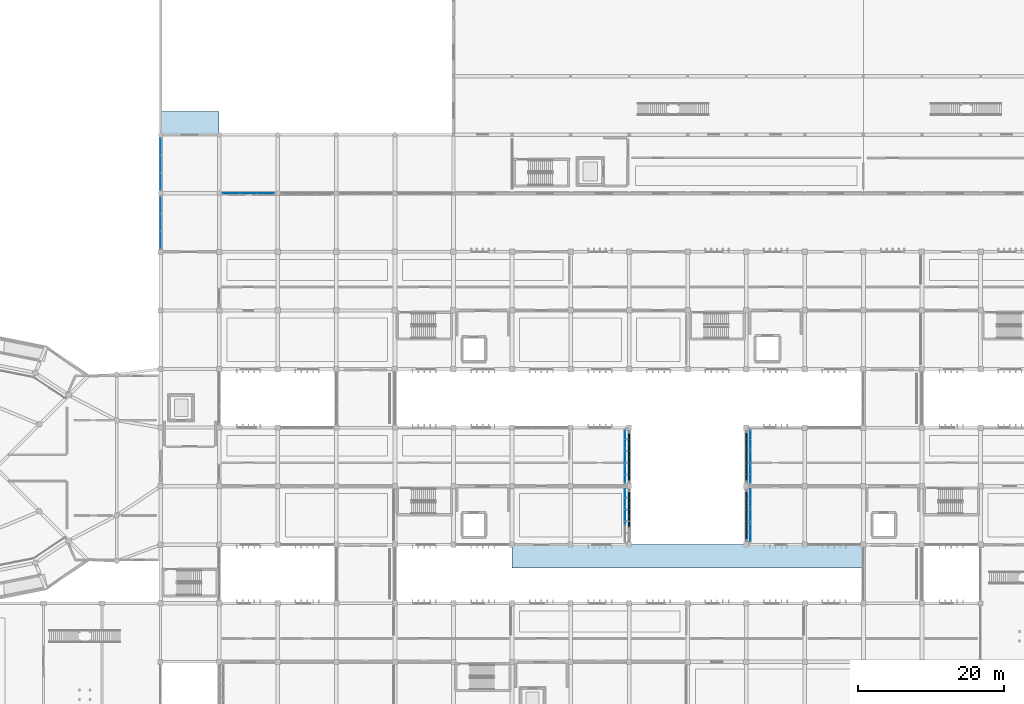
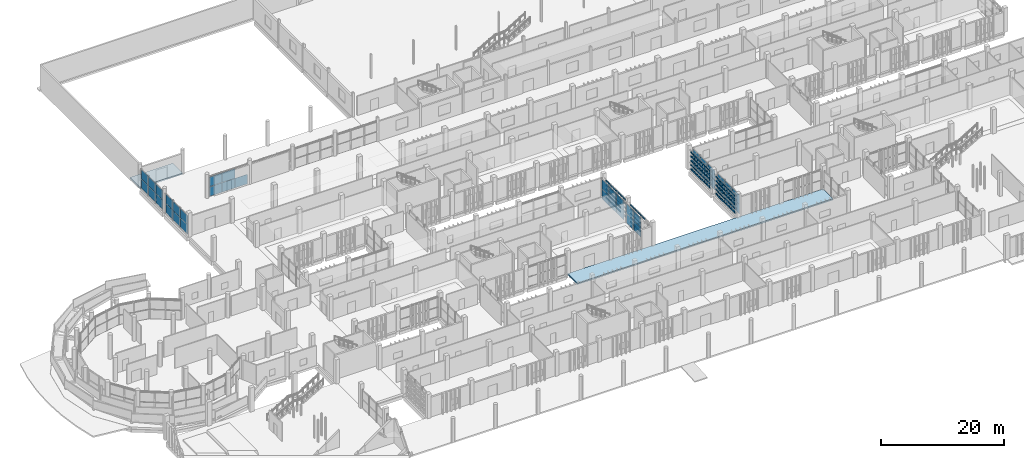
# One storey, part 78 of 117: 110 plates, 2 slabs, 7 elements without a shape of their own.
"""IFC4 building model written with IfcOpenShell, lengths in metres."""

from ifc_helpers import new_model, si_unit, direction, frame, origin, origin_2d, place, context, subcontext, project, spatial, polyline, rectangle, outline, extrude, material, layer, layer_set, type_object, element, aggregate, save


model = new_model("IFC4")

# Units and contexts
model_context = context("Model", 3, precision=1e-05, world=origin(), true_north=direction((0.0, 1.0)))
body_context = subcontext(model_context, "Body", "Model", "MODEL_VIEW")
ifc_project = project(units=[si_unit("LENGTHUNIT", "METRE"), si_unit("AREAUNIT", "SQUARE_METRE"), si_unit("VOLUMEUNIT", "CUBIC_METRE"), si_unit("PLANEANGLEUNIT", "RADIAN"), si_unit("MASSUNIT", "GRAM", prefix="KILO")], contexts=[model_context])

# Site, building, storey
site_placement = place(None, origin())
site = spatial("IfcSite", under=ifc_project, at=site_placement, CompositionType="ELEMENT")
building_placement = place(site_placement, origin())
building = spatial("IfcBuilding", under=site, at=building_placement, Name="Jelvoka-Kovrelna Polytechnic", CompositionType="ELEMENT")
storey_placement = place(building_placement, origin())
storey = spatial("IfcBuildingStorey", under=building, at=storey_placement, Name="L01", CompositionType="ELEMENT", Elevation=0.0)

# Curtain wall, plates
ifc_material_1 = material(Name="Anodised aluminium 6063-T6", Category="aluminium")
ifc_layer_1 = layer(ifc_material_1, 0.159912109375)
ifc_layer_set_1 = layer_set([ifc_layer_1], Name="Anodised aluminium 6063-T6")
curtain_wall_type_1 = type_object("IfcCurtainWallType", Name="CW_Recessed_A", PredefinedType="NOTDEFINED", material=ifc_layer_set_1)
curtain_wall_1_placement = place(storey_placement, origin())
curtain_wall_1 = element("IfcCurtainWall", 1, at=curtain_wall_1_placement, inside=storey, type_object=curtain_wall_type_1, Name="L01 glazed curtain wall 013", PredefinedType="NOTDEFINED")
ifc_material_2 = material(Name="Solar-control double glazing", Category="glass")
ifc_layer_2 = layer(ifc_material_2, 0.028076171875)
ifc_layer_set_2 = layer_set([ifc_layer_2], Name="Solar-control double glazing")
plate_type_1 = type_object("IfcPlateType", Name="Panel_GP-01", PredefinedType="CURTAIN_PANEL", material=ifc_layer_set_2)
plate_1_placement = place(storey_placement, frame((111.43994140625, 38.385009765625, 0.052001953125), z_axis=(0.0, 0.0, 1.0), x_axis=(0.0, -1.0, 0.0)))
plate_1 = element("IfcPlate", 2, at=plate_1_placement, type_object=plate_type_1, Name="CW-01 panel 1.1", PredefinedType="CURTAIN_PANEL", context=body_context, shape_type="SweptSolid", body=[
    extrude(rectangle(XDim=2.326171875, YDim=0.028076171875, at=origin_2d()), origin(), (0.0, 0.0, 1.0), 1.901123046875),
])
plate_2_placement = place(storey_placement, frame((111.43994140625, 38.385009765625, 1.996826171875), z_axis=(0.0, 0.0, 1.0), x_axis=(0.0, -1.0, 0.0)))
plate_2 = element("IfcPlate", 3, at=plate_2_placement, type_object=plate_type_1, Name="CW-01 panel 1.2", PredefinedType="CURTAIN_PANEL", context=body_context, shape_type="SweptSolid", body=[
    extrude(rectangle(XDim=2.326171875, YDim=0.028076171875, at=origin_2d()), origin(), (0.0, 0.0, 1.0), 1.901123046875),
])
plate_3_placement = place(storey_placement, frame((111.43994140625, 36.0, 0.052001953125), z_axis=(0.0, 0.0, 1.0), x_axis=(0.0, -1.0, 0.0)))
plate_3 = element("IfcPlate", 4, at=plate_3_placement, type_object=plate_type_1, Name="CW-01 panel 2.1", PredefinedType="CURTAIN_PANEL", context=body_context, shape_type="SweptSolid", body=[
    extrude(rectangle(XDim=2.356201171875, YDim=0.028076171875, at=origin_2d()), origin(), (0.0, 0.0, 1.0), 1.901123046875),
])
plate_4_placement = place(storey_placement, frame((111.43994140625, 36.0, 1.996826171875), z_axis=(0.0, 0.0, 1.0), x_axis=(0.0, -1.0, 0.0)))
plate_4 = element("IfcPlate", 5, at=plate_4_placement, type_object=plate_type_1, Name="CW-01 panel 2.2", PredefinedType="CURTAIN_PANEL", context=body_context, shape_type="SweptSolid", body=[
    extrude(rectangle(XDim=2.356201171875, YDim=0.028076171875, at=origin_2d()), origin(), (0.0, 0.0, 1.0), 1.901123046875),
])
aggregate(curtain_wall_1, [plate_1, plate_2, plate_3, plate_4])

curtain_wall_2_placement = place(storey_placement, origin())
curtain_wall_2 = element("IfcCurtainWall", 6, at=curtain_wall_2_placement, inside=storey, type_object=curtain_wall_type_1, Name="L01 glazed curtain wall 014", PredefinedType="NOTDEFINED")
plate_5_placement = place(storey_placement, frame((111.43994140625, 46.385009765625, 0.052001953125), z_axis=(0.0, 0.0, 1.0), x_axis=(0.0, -1.0, 0.0)))
plate_5 = element("IfcPlate", 7, at=plate_5_placement, type_object=plate_type_1, Name="CW-01 panel 1.1", PredefinedType="CURTAIN_PANEL", context=body_context, shape_type="SweptSolid", body=[
    extrude(rectangle(XDim=2.326171875, YDim=0.028076171875, at=origin_2d()), origin(), (0.0, 0.0, 1.0), 1.901123046875),
])
plate_6_placement = place(storey_placement, frame((111.43994140625, 46.385009765625, 1.996826171875), z_axis=(0.0, 0.0, 1.0), x_axis=(0.0, -1.0, 0.0)))
plate_6 = element("IfcPlate", 8, at=plate_6_placement, type_object=plate_type_1, Name="CW-01 panel 1.2", PredefinedType="CURTAIN_PANEL", context=body_context, shape_type="SweptSolid", body=[
    extrude(rectangle(XDim=2.326171875, YDim=0.028076171875, at=origin_2d()), origin(), (0.0, 0.0, 1.0), 1.901123046875),
])
plate_7_placement = place(storey_placement, frame((111.43994140625, 44.0, 0.052001953125), z_axis=(0.0, 0.0, 1.0), x_axis=(0.0, -1.0, 0.0)))
plate_7 = element("IfcPlate", 9, at=plate_7_placement, type_object=plate_type_1, Name="CW-01 panel 2.1", PredefinedType="CURTAIN_PANEL", context=body_context, shape_type="SweptSolid", body=[
    extrude(rectangle(XDim=2.356201171875, YDim=0.028076171875, at=origin_2d()), origin(), (0.0, 0.0, 1.0), 1.901123046875),
])
plate_8_placement = place(storey_placement, frame((111.43994140625, 44.0, 1.996826171875), z_axis=(0.0, 0.0, 1.0), x_axis=(0.0, -1.0, 0.0)))
plate_8 = element("IfcPlate", 10, at=plate_8_placement, type_object=plate_type_1, Name="CW-01 panel 2.2", PredefinedType="CURTAIN_PANEL", context=body_context, shape_type="SweptSolid", body=[
    extrude(rectangle(XDim=2.356201171875, YDim=0.028076171875, at=origin_2d()), origin(), (0.0, 0.0, 1.0), 1.901123046875),
])
plate_9_placement = place(storey_placement, frame((111.43994140625, 41.614990234375, 0.052001953125), z_axis=(0.0, 0.0, 1.0), x_axis=(0.0, -1.0, 0.0)))
plate_9 = element("IfcPlate", 11, at=plate_9_placement, type_object=plate_type_1, Name="CW-01 panel 3.1", PredefinedType="CURTAIN_PANEL", context=body_context, shape_type="SweptSolid", body=[
    extrude(rectangle(XDim=2.326171875, YDim=0.028076171875, at=origin_2d()), origin(), (0.0, 0.0, 1.0), 1.901123046875),
])
plate_10_placement = place(storey_placement, frame((111.43994140625, 41.614990234375, 1.996826171875), z_axis=(0.0, 0.0, 1.0), x_axis=(0.0, -1.0, 0.0)))
plate_10 = element("IfcPlate", 12, at=plate_10_placement, type_object=plate_type_1, Name="CW-01 panel 3.2", PredefinedType="CURTAIN_PANEL", context=body_context, shape_type="SweptSolid", body=[
    extrude(rectangle(XDim=2.326171875, YDim=0.028076171875, at=origin_2d()), origin(), (0.0, 0.0, 1.0), 1.901123046875),
])
aggregate(curtain_wall_2, [plate_5, plate_6, plate_7, plate_8, plate_9, plate_10])

curtain_wall_3_placement = place(storey_placement, origin())
curtain_wall_3 = element("IfcCurtainWall", 13, at=curtain_wall_3_placement, inside=storey, type_object=curtain_wall_type_1, Name="L01 glazed curtain wall 042", PredefinedType="NOTDEFINED")
plate_11_placement = place(storey_placement, frame((128.56005859375, 33.614990234375, 0.052001953125), z_axis=(0.0, 0.0, 1.0), x_axis=(0.0, 1.0, 0.0)))
plate_11 = element("IfcPlate", 14, at=plate_11_placement, type_object=plate_type_1, Name="CW-01 panel 1.1", PredefinedType="CURTAIN_PANEL", context=body_context, shape_type="SweptSolid", body=[
    extrude(rectangle(XDim=2.326171875, YDim=0.028076171875, at=origin_2d()), origin(), (0.0, 0.0, 1.0), 1.901123046875),
])
plate_12_placement = place(storey_placement, frame((128.56005859375, 33.614990234375, 1.996826171875), z_axis=(0.0, 0.0, 1.0), x_axis=(0.0, 1.0, 0.0)))
plate_12 = element("IfcPlate", 15, at=plate_12_placement, type_object=plate_type_1, Name="CW-01 panel 1.2", PredefinedType="CURTAIN_PANEL", context=body_context, shape_type="SweptSolid", body=[
    extrude(rectangle(XDim=2.326171875, YDim=0.028076171875, at=origin_2d()), origin(), (0.0, 0.0, 1.0), 1.901123046875),
])
plate_13_placement = place(storey_placement, frame((128.56005859375, 36.0, 0.052001953125), z_axis=(0.0, 0.0, 1.0), x_axis=(0.0, 1.0, 0.0)))
plate_13 = element("IfcPlate", 16, at=plate_13_placement, type_object=plate_type_1, Name="CW-01 panel 2.1", PredefinedType="CURTAIN_PANEL", context=body_context, shape_type="SweptSolid", body=[
    extrude(rectangle(XDim=2.356201171875, YDim=0.028076171875, at=origin_2d()), origin(), (0.0, 0.0, 1.0), 1.901123046875),
])
plate_14_placement = place(storey_placement, frame((128.56005859375, 36.0, 1.996826171875), z_axis=(0.0, 0.0, 1.0), x_axis=(0.0, 1.0, 0.0)))
plate_14 = element("IfcPlate", 17, at=plate_14_placement, type_object=plate_type_1, Name="CW-01 panel 2.2", PredefinedType="CURTAIN_PANEL", context=body_context, shape_type="SweptSolid", body=[
    extrude(rectangle(XDim=2.356201171875, YDim=0.028076171875, at=origin_2d()), origin(), (0.0, 0.0, 1.0), 1.901123046875),
])
plate_15_placement = place(storey_placement, frame((128.56005859375, 38.385009765625, 0.052001953125), z_axis=(0.0, 0.0, 1.0), x_axis=(0.0, 1.0, 0.0)))
plate_15 = element("IfcPlate", 18, at=plate_15_placement, type_object=plate_type_1, Name="CW-01 panel 3.1", PredefinedType="CURTAIN_PANEL", context=body_context, shape_type="SweptSolid", body=[
    extrude(rectangle(XDim=2.326171875, YDim=0.028076171875, at=origin_2d()), origin(), (0.0, 0.0, 1.0), 1.901123046875),
])
plate_16_placement = place(storey_placement, frame((128.56005859375, 38.385009765625, 1.996826171875), z_axis=(0.0, 0.0, 1.0), x_axis=(0.0, 1.0, 0.0)))
plate_16 = element("IfcPlate", 19, at=plate_16_placement, type_object=plate_type_1, Name="CW-01 panel 3.2", PredefinedType="CURTAIN_PANEL", context=body_context, shape_type="SweptSolid", body=[
    extrude(rectangle(XDim=2.326171875, YDim=0.028076171875, at=origin_2d()), origin(), (0.0, 0.0, 1.0), 1.901123046875),
])
aggregate(curtain_wall_3, [plate_11, plate_12, plate_13, plate_14, plate_15, plate_16])

curtain_wall_4_placement = place(storey_placement, origin())
curtain_wall_4 = element("IfcCurtainWall", 20, at=curtain_wall_4_placement, inside=storey, type_object=curtain_wall_type_1, Name="L01 glazed curtain wall 043", PredefinedType="NOTDEFINED")
plate_17_placement = place(storey_placement, frame((128.56005859375, 41.614990234375, 0.052001953125), z_axis=(0.0, 0.0, 1.0), x_axis=(0.0, 1.0, 0.0)))
plate_17 = element("IfcPlate", 21, at=plate_17_placement, type_object=plate_type_1, Name="CW-01 panel 1.1", PredefinedType="CURTAIN_PANEL", context=body_context, shape_type="SweptSolid", body=[
    extrude(rectangle(XDim=2.326171875, YDim=0.028076171875, at=origin_2d()), origin(), (0.0, 0.0, 1.0), 1.901123046875),
])
plate_18_placement = place(storey_placement, frame((128.56005859375, 41.614990234375, 1.996826171875), z_axis=(0.0, 0.0, 1.0), x_axis=(0.0, 1.0, 0.0)))
plate_18 = element("IfcPlate", 22, at=plate_18_placement, type_object=plate_type_1, Name="CW-01 panel 1.2", PredefinedType="CURTAIN_PANEL", context=body_context, shape_type="SweptSolid", body=[
    extrude(rectangle(XDim=2.326171875, YDim=0.028076171875, at=origin_2d()), origin(), (0.0, 0.0, 1.0), 1.901123046875),
])
plate_19_placement = place(storey_placement, frame((128.56005859375, 44.0, 0.052001953125), z_axis=(0.0, 0.0, 1.0), x_axis=(0.0, 1.0, 0.0)))
plate_19 = element("IfcPlate", 23, at=plate_19_placement, type_object=plate_type_1, Name="CW-01 panel 2.1", PredefinedType="CURTAIN_PANEL", context=body_context, shape_type="SweptSolid", body=[
    extrude(rectangle(XDim=2.356201171875, YDim=0.028076171875, at=origin_2d()), origin(), (0.0, 0.0, 1.0), 1.901123046875),
])
plate_20_placement = place(storey_placement, frame((128.56005859375, 44.0, 1.996826171875), z_axis=(0.0, 0.0, 1.0), x_axis=(0.0, 1.0, 0.0)))
plate_20 = element("IfcPlate", 24, at=plate_20_placement, type_object=plate_type_1, Name="CW-01 panel 2.2", PredefinedType="CURTAIN_PANEL", context=body_context, shape_type="SweptSolid", body=[
    extrude(rectangle(XDim=2.356201171875, YDim=0.028076171875, at=origin_2d()), origin(), (0.0, 0.0, 1.0), 1.901123046875),
])
plate_21_placement = place(storey_placement, frame((128.56005859375, 46.385009765625, 0.052001953125), z_axis=(0.0, 0.0, 1.0), x_axis=(0.0, 1.0, 0.0)))
plate_21 = element("IfcPlate", 25, at=plate_21_placement, type_object=plate_type_1, Name="CW-01 panel 3.1", PredefinedType="CURTAIN_PANEL", context=body_context, shape_type="SweptSolid", body=[
    extrude(rectangle(XDim=2.326171875, YDim=0.028076171875, at=origin_2d()), origin(), (0.0, 0.0, 1.0), 1.901123046875),
])
plate_22_placement = place(storey_placement, frame((128.56005859375, 46.385009765625, 1.996826171875), z_axis=(0.0, 0.0, 1.0), x_axis=(0.0, 1.0, 0.0)))
plate_22 = element("IfcPlate", 26, at=plate_22_placement, type_object=plate_type_1, Name="CW-01 panel 3.2", PredefinedType="CURTAIN_PANEL", context=body_context, shape_type="SweptSolid", body=[
    extrude(rectangle(XDim=2.326171875, YDim=0.028076171875, at=origin_2d()), origin(), (0.0, 0.0, 1.0), 1.901123046875),
])
aggregate(curtain_wall_4, [plate_17, plate_18, plate_19, plate_20, plate_21, plate_22])

ifc_material_3 = material(Name="Anodised aluminium 6063-T6", Category="aluminium")
ifc_layer_3 = layer(ifc_material_3, 0.179931640625)
ifc_layer_set_3 = layer_set([ifc_layer_3], Name="Anodised aluminium 6063-T6")
curtain_wall_type_2 = type_object("IfcCurtainWallType", Name="CW_Pavilion", PredefinedType="NOTDEFINED", material=ifc_layer_set_3)
curtain_wall_5_placement = place(storey_placement, origin())
curtain_wall_5 = element("IfcCurtainWall", 27, at=curtain_wall_5_placement, inside=storey, type_object=curtain_wall_type_2, Name="L01 glazed curtain wall 163", PredefinedType="NOTDEFINED")
ifc_material_4 = material(Name="Solar-control double glazing", Category="glass")
ifc_layer_4 = layer(ifc_material_4, 0.030029296875)
ifc_layer_set_4 = layer_set([ifc_layer_4], Name="Solar-control double glazing")
plate_type_2 = type_object("IfcPlateType", Name="Panel_GP-05", PredefinedType="CURTAIN_PANEL", material=ifc_layer_set_4)
plate_23_placement = place(storey_placement, frame((48.0, 73.6162109375, 0.056884765625), z_axis=(0.0, 0.0, 1.0), x_axis=(0.0, 1.0, 0.0)))
plate_23 = element("IfcPlate", 28, at=plate_23_placement, type_object=plate_type_2, Name="CW-05 panel 1.1", PredefinedType="CURTAIN_PANEL", context=body_context, shape_type="SweptSolid", body=[
    extrude(rectangle(XDim=2.318603515625, YDim=0.030029296875, at=origin_2d()), origin(), (0.0, 0.0, 1.0), 1.821044921875),
])
plate_24_placement = place(storey_placement, frame((48.0, 73.6162109375, 1.927001953125), z_axis=(0.0, 0.0, 1.0), x_axis=(0.0, 1.0, 0.0)))
plate_24 = element("IfcPlate", 29, at=plate_24_placement, type_object=plate_type_2, Name="CW-05 panel 1.2", PredefinedType="CURTAIN_PANEL", context=body_context, shape_type="SweptSolid", body=[
    extrude(rectangle(XDim=2.318603515625, YDim=0.030029296875, at=origin_2d()), origin(), (0.0, 0.0, 1.0), 1.821044921875),
])
plate_25_placement = place(storey_placement, frame((48.0, 76.0, 0.056884765625), z_axis=(0.0, 0.0, 1.0), x_axis=(0.0, 1.0, 0.0)))
plate_25 = element("IfcPlate", 30, at=plate_25_placement, type_object=plate_type_2, Name="CW-05 panel 2.1", PredefinedType="CURTAIN_PANEL", context=body_context, shape_type="SweptSolid", body=[
    extrude(rectangle(XDim=2.35107421875, YDim=0.030029296875, at=origin_2d()), origin(), (0.0, 0.0, 1.0), 1.821044921875),
])
plate_26_placement = place(storey_placement, frame((48.0, 76.0, 1.927001953125), z_axis=(0.0, 0.0, 1.0), x_axis=(0.0, 1.0, 0.0)))
plate_26 = element("IfcPlate", 31, at=plate_26_placement, type_object=plate_type_2, Name="CW-05 panel 2.2", PredefinedType="CURTAIN_PANEL", context=body_context, shape_type="SweptSolid", body=[
    extrude(rectangle(XDim=2.35107421875, YDim=0.030029296875, at=origin_2d()), origin(), (0.0, 0.0, 1.0), 1.821044921875),
])
plate_27_placement = place(storey_placement, frame((48.0, 78.3837890625, 0.056884765625), z_axis=(0.0, 0.0, 1.0), x_axis=(0.0, 1.0, 0.0)))
plate_27 = element("IfcPlate", 32, at=plate_27_placement, type_object=plate_type_2, Name="CW-05 panel 3.1", PredefinedType="CURTAIN_PANEL", context=body_context, shape_type="SweptSolid", body=[
    extrude(rectangle(XDim=2.318603515625, YDim=0.030029296875, at=origin_2d()), origin(), (0.0, 0.0, 1.0), 1.821044921875),
])
plate_28_placement = place(storey_placement, frame((48.0, 78.3837890625, 1.927001953125), z_axis=(0.0, 0.0, 1.0), x_axis=(0.0, 1.0, 0.0)))
plate_28 = element("IfcPlate", 33, at=plate_28_placement, type_object=plate_type_2, Name="CW-05 panel 3.2", PredefinedType="CURTAIN_PANEL", context=body_context, shape_type="SweptSolid", body=[
    extrude(rectangle(XDim=2.318603515625, YDim=0.030029296875, at=origin_2d()), origin(), (0.0, 0.0, 1.0), 1.821044921875),
])
aggregate(curtain_wall_5, [plate_23, plate_24, plate_25, plate_26, plate_27, plate_28])

curtain_wall_6_placement = place(storey_placement, origin())
curtain_wall_6 = element("IfcCurtainWall", 34, at=curtain_wall_6_placement, inside=storey, type_object=curtain_wall_type_2, Name="L01 glazed curtain wall 164", PredefinedType="NOTDEFINED")
plate_29_placement = place(storey_placement, frame((48.0, 81.6162109375, 0.056884765625), z_axis=(0.0, 0.0, 1.0), x_axis=(0.0, 1.0, 0.0)))
plate_29 = element("IfcPlate", 35, at=plate_29_placement, type_object=plate_type_2, Name="CW-05 panel 1.1", PredefinedType="CURTAIN_PANEL", context=body_context, shape_type="SweptSolid", body=[
    extrude(rectangle(XDim=2.318603515625, YDim=0.030029296875, at=origin_2d()), origin(), (0.0, 0.0, 1.0), 1.836181640625),
])
plate_30_placement = place(storey_placement, frame((48.0, 81.6162109375, 1.942138671875), z_axis=(0.0, 0.0, 1.0), x_axis=(0.0, 1.0, 0.0)))
plate_30 = element("IfcPlate", 36, at=plate_30_placement, type_object=plate_type_2, Name="CW-05 panel 1.2", PredefinedType="CURTAIN_PANEL", context=body_context, shape_type="SweptSolid", body=[
    extrude(rectangle(XDim=2.318603515625, YDim=0.030029296875, at=origin_2d()), origin(), (0.0, 0.0, 1.0), 1.836181640625),
])
plate_31_placement = place(storey_placement, frame((48.0, 84.0, 0.056884765625), z_axis=(0.0, 0.0, 1.0), x_axis=(0.0, 1.0, 0.0)))
plate_31 = element("IfcPlate", 37, at=plate_31_placement, type_object=plate_type_2, Name="CW-05 panel 2.1", PredefinedType="CURTAIN_PANEL", context=body_context, shape_type="SweptSolid", body=[
    extrude(rectangle(XDim=2.35107421875, YDim=0.030029296875, at=origin_2d()), origin(), (0.0, 0.0, 1.0), 1.836181640625),
])
plate_32_placement = place(storey_placement, frame((48.0, 84.0, 1.942138671875), z_axis=(0.0, 0.0, 1.0), x_axis=(0.0, 1.0, 0.0)))
plate_32 = element("IfcPlate", 38, at=plate_32_placement, type_object=plate_type_2, Name="CW-05 panel 2.2", PredefinedType="CURTAIN_PANEL", context=body_context, shape_type="SweptSolid", body=[
    extrude(rectangle(XDim=2.35107421875, YDim=0.030029296875, at=origin_2d()), origin(), (0.0, 0.0, 1.0), 1.836181640625),
])
plate_33_placement = place(storey_placement, frame((48.0, 86.3837890625, 0.056884765625), z_axis=(0.0, 0.0, 1.0), x_axis=(0.0, 1.0, 0.0)))
plate_33 = element("IfcPlate", 39, at=plate_33_placement, type_object=plate_type_2, Name="CW-05 panel 3.1", PredefinedType="CURTAIN_PANEL", context=body_context, shape_type="SweptSolid", body=[
    extrude(rectangle(XDim=2.318603515625, YDim=0.030029296875, at=origin_2d()), origin(), (0.0, 0.0, 1.0), 1.836181640625),
])
plate_34_placement = place(storey_placement, frame((48.0, 86.3837890625, 1.942138671875), z_axis=(0.0, 0.0, 1.0), x_axis=(0.0, 1.0, 0.0)))
plate_34 = element("IfcPlate", 40, at=plate_34_placement, type_object=plate_type_2, Name="CW-05 panel 3.2", PredefinedType="CURTAIN_PANEL", context=body_context, shape_type="SweptSolid", body=[
    extrude(rectangle(XDim=2.318603515625, YDim=0.030029296875, at=origin_2d()), origin(), (0.0, 0.0, 1.0), 1.836181640625),
])
aggregate(curtain_wall_6, [plate_29, plate_30, plate_31, plate_32, plate_33, plate_34])

curtain_wall_7_placement = place(storey_placement, origin())
curtain_wall_7 = element("IfcCurtainWall", 41, at=curtain_wall_7_placement, inside=storey, type_object=curtain_wall_type_2, Name="L01 glazed curtain wall 165", PredefinedType="NOTDEFINED")
plate_35_placement = place(storey_placement, frame((57.6162109375, 80.0, 0.056884765625), z_axis=(0.0, 0.0, 1.0), x_axis=(1.0, 0.0, 0.0)))
plate_35 = element("IfcPlate", 42, at=plate_35_placement, type_object=plate_type_2, Name="CW-05 panel 1.1", PredefinedType="CURTAIN_PANEL", context=body_context, shape_type="SweptSolid", body=[
    extrude(rectangle(XDim=2.318603515625, YDim=0.030029296875, at=origin_2d()), origin(), (0.0, 0.0, 1.0), 1.89599609375),
])
plate_36_placement = place(storey_placement, frame((57.6162109375, 80.0, 2.001953125), z_axis=(0.0, 0.0, 1.0), x_axis=(1.0, 0.0, 0.0)))
plate_36 = element("IfcPlate", 43, at=plate_36_placement, type_object=plate_type_2, Name="CW-05 panel 1.2", PredefinedType="CURTAIN_PANEL", context=body_context, shape_type="SweptSolid", body=[
    extrude(rectangle(XDim=2.318603515625, YDim=0.030029296875, at=origin_2d()), origin(), (0.0, 0.0, 1.0), 1.89599609375),
])
plate_37_placement = place(storey_placement, frame((60.0, 80.0, 0.056884765625), z_axis=(0.0, 0.0, 1.0), x_axis=(1.0, 0.0, 0.0)))
plate_37 = element("IfcPlate", 44, at=plate_37_placement, type_object=plate_type_2, Name="CW-05 panel 2.1", PredefinedType="CURTAIN_PANEL", context=body_context, shape_type="SweptSolid", body=[
    extrude(rectangle(XDim=2.35107421875, YDim=0.030029296875, at=origin_2d()), origin(), (0.0, 0.0, 1.0), 1.89599609375),
])
plate_38_placement = place(storey_placement, frame((60.0, 80.0, 2.001953125), z_axis=(0.0, 0.0, 1.0), x_axis=(1.0, 0.0, 0.0)))
plate_38 = element("IfcPlate", 45, at=plate_38_placement, type_object=plate_type_2, Name="CW-05 panel 2.2", PredefinedType="CURTAIN_PANEL", context=body_context, shape_type="SweptSolid", body=[
    extrude(rectangle(XDim=2.35107421875, YDim=0.030029296875, at=origin_2d()), origin(), (0.0, 0.0, 1.0), 1.89599609375),
])
plate_39_placement = place(storey_placement, frame((62.3837890625, 80.0, 0.056884765625), z_axis=(0.0, 0.0, 1.0), x_axis=(1.0, 0.0, 0.0)))
plate_39 = element("IfcPlate", 46, at=plate_39_placement, type_object=plate_type_2, Name="CW-05 panel 3.1", PredefinedType="CURTAIN_PANEL", context=body_context, shape_type="SweptSolid", body=[
    extrude(rectangle(XDim=2.318603515625, YDim=0.030029296875, at=origin_2d()), origin(), (0.0, 0.0, 1.0), 1.89599609375),
])
aggregate(curtain_wall_7, [plate_35, plate_36, plate_37, plate_38, plate_39])

# Plates
ifc_material_5 = material(Name="Perforated fired terracotta block", Category="masonry")
ifc_layer_5 = layer(ifc_material_5, 0.159912109375)
ifc_layer_set_5 = layer_set([ifc_layer_5], Name="Perforated fired terracotta block")
plate_type_3 = type_object("IfcPlateType", Name="Screen_Terracotta_TP01", PredefinedType="USERDEFINED", material=ifc_layer_set_5)
for number, where, z_axis, x_axis, name in (
    (47, (128.02001953125, 33.60009765625, 0.2001953125), (0.0, 0.0, 1.0), (0.0, 1.0, 0.0), "L01 perforated terracotta lattice band 0421"),
    (48, (128.02001953125, 33.60009765625, 1.04248046875), (0.0, 0.0, 1.0), (0.0, 1.0, 0.0), "L01 perforated terracotta lattice band 0422"),
    (49, (128.02001953125, 33.60009765625, 1.884765625), (0.0, 0.0, 1.0), (0.0, 1.0, 0.0), "L01 perforated terracotta lattice band 0423"),
    (50, (128.02001953125, 33.60009765625, 2.7275390625), (0.0, 0.0, 1.0), (0.0, 1.0, 0.0), "L01 perforated terracotta lattice band 0424"),
    (51, (128.02001953125, 33.60009765625, 3.56982421875), (0.0, 0.0, 1.0), (0.0, 1.0, 0.0), "L01 perforated terracotta lattice band 0425"),
    (52, (128.02001953125, 35.199951171875, 0.2001953125), (0.0, 0.0, 1.0), (0.0, 1.0, 0.0), "L01 perforated terracotta lattice band 0426"),
    (53, (128.02001953125, 35.199951171875, 1.04248046875), (0.0, 0.0, 1.0), (0.0, 1.0, 0.0), "L01 perforated terracotta lattice band 0427"),
    (54, (128.02001953125, 35.199951171875, 1.884765625), (0.0, 0.0, 1.0), (0.0, 1.0, 0.0), "L01 perforated terracotta lattice band 0428"),
    (55, (128.02001953125, 35.199951171875, 2.7275390625), (0.0, 0.0, 1.0), (0.0, 1.0, 0.0), "L01 perforated terracotta lattice band 0429"),
    (56, (128.02001953125, 35.199951171875, 3.56982421875), (0.0, 0.0, 1.0), (0.0, 1.0, 0.0), "L01 perforated terracotta lattice band 0430"),
    (57, (128.02001953125, 36.800048828125, 0.2001953125), (0.0, 0.0, 1.0), (0.0, 1.0, 0.0), "L01 perforated terracotta lattice band 0431"),
    (58, (128.02001953125, 36.800048828125, 1.04248046875), (0.0, 0.0, 1.0), (0.0, 1.0, 0.0), "L01 perforated terracotta lattice band 0432"),
    (59, (128.02001953125, 36.800048828125, 1.884765625), (0.0, 0.0, 1.0), (0.0, 1.0, 0.0), "L01 perforated terracotta lattice band 0433"),
    (60, (128.02001953125, 36.800048828125, 2.7275390625), (0.0, 0.0, 1.0), (0.0, 1.0, 0.0), "L01 perforated terracotta lattice band 0434"),
    (61, (128.02001953125, 36.800048828125, 3.56982421875), (0.0, 0.0, 1.0), (0.0, 1.0, 0.0), "L01 perforated terracotta lattice band 0435"),
    (62, (128.02001953125, 38.39990234375, 0.2001953125), (0.0, 0.0, 1.0), (0.0, 1.0, 0.0), "L01 perforated terracotta lattice band 0436"),
    (63, (128.02001953125, 38.39990234375, 1.04248046875), (0.0, 0.0, 1.0), (0.0, 1.0, 0.0), "L01 perforated terracotta lattice band 0437"),
    (64, (128.02001953125, 38.39990234375, 1.884765625), (0.0, 0.0, 1.0), (0.0, 1.0, 0.0), "L01 perforated terracotta lattice band 0438"),
    (65, (128.02001953125, 38.39990234375, 2.7275390625), (0.0, 0.0, 1.0), (0.0, 1.0, 0.0), "L01 perforated terracotta lattice band 0439"),
    (66, (128.02001953125, 38.39990234375, 3.56982421875), (0.0, 0.0, 1.0), (0.0, 1.0, 0.0), "L01 perforated terracotta lattice band 0440"),
    (67, (128.02001953125, 41.60009765625, 0.2001953125), (0.0, 0.0, 1.0), (0.0, 1.0, 0.0), "L01 perforated terracotta lattice band 0441"),
    (68, (128.02001953125, 41.60009765625, 1.04248046875), (0.0, 0.0, 1.0), (0.0, 1.0, 0.0), "L01 perforated terracotta lattice band 0442"),
    (69, (128.02001953125, 41.60009765625, 1.884765625), (0.0, 0.0, 1.0), (0.0, 1.0, 0.0), "L01 perforated terracotta lattice band 0443"),
    (70, (128.02001953125, 41.60009765625, 2.7275390625), (0.0, 0.0, 1.0), (0.0, 1.0, 0.0), "L01 perforated terracotta lattice band 0444"),
    (71, (128.02001953125, 41.60009765625, 3.56982421875), (0.0, 0.0, 1.0), (0.0, 1.0, 0.0), "L01 perforated terracotta lattice band 0445"),
    (72, (128.02001953125, 43.199951171875, 0.2001953125), (0.0, 0.0, 1.0), (0.0, 1.0, 0.0), "L01 perforated terracotta lattice band 0446"),
    (73, (128.02001953125, 43.199951171875, 1.04248046875), (0.0, 0.0, 1.0), (0.0, 1.0, 0.0), "L01 perforated terracotta lattice band 0447"),
    (74, (128.02001953125, 43.199951171875, 1.884765625), (0.0, 0.0, 1.0), (0.0, 1.0, 0.0), "L01 perforated terracotta lattice band 0448"),
    (75, (128.02001953125, 43.199951171875, 2.7275390625), (0.0, 0.0, 1.0), (0.0, 1.0, 0.0), "L01 perforated terracotta lattice band 0449"),
    (76, (128.02001953125, 43.199951171875, 3.56982421875), (0.0, 0.0, 1.0), (0.0, 1.0, 0.0), "L01 perforated terracotta lattice band 0450"),
    (77, (128.02001953125, 44.800048828125, 0.2001953125), (0.0, 0.0, 1.0), (0.0, 1.0, 0.0), "L01 perforated terracotta lattice band 0451"),
    (78, (128.02001953125, 44.800048828125, 1.04248046875), (0.0, 0.0, 1.0), (0.0, 1.0, 0.0), "L01 perforated terracotta lattice band 0452"),
    (79, (128.02001953125, 44.800048828125, 1.884765625), (0.0, 0.0, 1.0), (0.0, 1.0, 0.0), "L01 perforated terracotta lattice band 0453"),
    (80, (128.02001953125, 44.800048828125, 2.7275390625), (0.0, 0.0, 1.0), (0.0, 1.0, 0.0), "L01 perforated terracotta lattice band 0454"),
    (81, (128.02001953125, 44.800048828125, 3.56982421875), (0.0, 0.0, 1.0), (0.0, 1.0, 0.0), "L01 perforated terracotta lattice band 0455"),
    (82, (128.02001953125, 46.39990234375, 0.2001953125), (0.0, 0.0, 1.0), (0.0, 1.0, 0.0), "L01 perforated terracotta lattice band 0456"),
    (83, (128.02001953125, 46.39990234375, 1.04248046875), (0.0, 0.0, 1.0), (0.0, 1.0, 0.0), "L01 perforated terracotta lattice band 0457"),
    (84, (128.02001953125, 46.39990234375, 1.884765625), (0.0, 0.0, 1.0), (0.0, 1.0, 0.0), "L01 perforated terracotta lattice band 0458"),
    (85, (128.02001953125, 46.39990234375, 2.7275390625), (0.0, 0.0, 1.0), (0.0, 1.0, 0.0), "L01 perforated terracotta lattice band 0459"),
    (86, (128.02001953125, 46.39990234375, 3.56982421875), (0.0, 0.0, 1.0), (0.0, 1.0, 0.0), "L01 perforated terracotta lattice band 0460"),
):
    element("IfcPlate", number, at=place(storey_placement, frame(where, z_axis=z_axis, x_axis=x_axis)), inside=storey, type_object=plate_type_3, Name=name, ObjectType="SCREEN PANEL", PredefinedType="USERDEFINED", context=body_context, shape_type="SweptSolid", body=[
        extrude(rectangle(XDim=1.60009765625, YDim=0.159912109375, at=origin_2d()), origin(), (0.0, 0.0, 1.0), 0.239990234375),
    ])
ifc_material_6 = material(Name="Perforated fired terracotta block", Category="masonry")
ifc_layer_6 = layer(ifc_material_6, 0.169921875)
ifc_layer_set_6 = layer_set([ifc_layer_6], Name="Perforated fired terracotta block")
plate_type_4 = type_object("IfcPlateType", Name="Screen_Terracotta_TP04", PredefinedType="USERDEFINED", material=ifc_layer_set_6)
for number, where, z_axis, x_axis, name in (
    (87, (111.97998046875, 35.199951171875, 3.56005859375), (0.0, 0.0, 1.0), (0.0, 1.0, 0.0), "L01 perforated terracotta lattice band 0170"),
    (88, (111.97998046875, 36.800048828125, 0.18994140625), (0.0, 0.0, 1.0), (0.0, 1.0, 0.0), "L01 perforated terracotta lattice band 0171"),
    (89, (111.97998046875, 36.800048828125, 1.03271484375), (0.0, 0.0, 1.0), (0.0, 1.0, 0.0), "L01 perforated terracotta lattice band 0172"),
    (90, (111.97998046875, 36.800048828125, 1.875), (0.0, 0.0, 1.0), (0.0, 1.0, 0.0), "L01 perforated terracotta lattice band 0173"),
    (91, (111.97998046875, 36.800048828125, 2.71728515625), (0.0, 0.0, 1.0), (0.0, 1.0, 0.0), "L01 perforated terracotta lattice band 0174"),
    (92, (111.97998046875, 36.800048828125, 3.56005859375), (0.0, 0.0, 1.0), (0.0, 1.0, 0.0), "L01 perforated terracotta lattice band 0175"),
    (93, (111.97998046875, 38.39990234375, 0.18994140625), (0.0, 0.0, 1.0), (0.0, 1.0, 0.0), "L01 perforated terracotta lattice band 0176"),
    (94, (111.97998046875, 38.39990234375, 1.03271484375), (0.0, 0.0, 1.0), (0.0, 1.0, 0.0), "L01 perforated terracotta lattice band 0177"),
    (95, (111.97998046875, 38.39990234375, 1.875), (0.0, 0.0, 1.0), (0.0, 1.0, 0.0), "L01 perforated terracotta lattice band 0178"),
    (96, (111.97998046875, 38.39990234375, 2.71728515625), (0.0, 0.0, 1.0), (0.0, 1.0, 0.0), "L01 perforated terracotta lattice band 0179"),
    (97, (111.97998046875, 38.39990234375, 3.56005859375), (0.0, 0.0, 1.0), (0.0, 1.0, 0.0), "L01 perforated terracotta lattice band 0180"),
    (98, (111.97998046875, 41.60009765625, 0.18994140625), (0.0, 0.0, 1.0), (0.0, 1.0, 0.0), "L01 perforated terracotta lattice band 0181"),
    (99, (111.97998046875, 41.60009765625, 1.03271484375), (0.0, 0.0, 1.0), (0.0, 1.0, 0.0), "L01 perforated terracotta lattice band 0182"),
    (100, (111.97998046875, 41.60009765625, 1.875), (0.0, 0.0, 1.0), (0.0, 1.0, 0.0), "L01 perforated terracotta lattice band 0183"),
    (101, (111.97998046875, 41.60009765625, 2.71728515625), (0.0, 0.0, 1.0), (0.0, 1.0, 0.0), "L01 perforated terracotta lattice band 0184"),
    (102, (111.97998046875, 41.60009765625, 3.56005859375), (0.0, 0.0, 1.0), (0.0, 1.0, 0.0), "L01 perforated terracotta lattice band 0185"),
    (103, (111.97998046875, 43.199951171875, 0.18994140625), (0.0, 0.0, 1.0), (0.0, 1.0, 0.0), "L01 perforated terracotta lattice band 0186"),
    (104, (111.97998046875, 43.199951171875, 1.03271484375), (0.0, 0.0, 1.0), (0.0, 1.0, 0.0), "L01 perforated terracotta lattice band 0187"),
    (105, (111.97998046875, 43.199951171875, 1.875), (0.0, 0.0, 1.0), (0.0, 1.0, 0.0), "L01 perforated terracotta lattice band 0188"),
    (106, (111.97998046875, 43.199951171875, 2.71728515625), (0.0, 0.0, 1.0), (0.0, 1.0, 0.0), "L01 perforated terracotta lattice band 0189"),
    (107, (111.97998046875, 43.199951171875, 3.56005859375), (0.0, 0.0, 1.0), (0.0, 1.0, 0.0), "L01 perforated terracotta lattice band 0190"),
    (108, (111.97998046875, 44.800048828125, 0.18994140625), (0.0, 0.0, 1.0), (0.0, 1.0, 0.0), "L01 perforated terracotta lattice band 0191"),
    (109, (111.97998046875, 44.800048828125, 1.03271484375), (0.0, 0.0, 1.0), (0.0, 1.0, 0.0), "L01 perforated terracotta lattice band 0192"),
    (110, (111.97998046875, 44.800048828125, 1.875), (0.0, 0.0, 1.0), (0.0, 1.0, 0.0), "L01 perforated terracotta lattice band 0193"),
    (111, (111.97998046875, 44.800048828125, 2.71728515625), (0.0, 0.0, 1.0), (0.0, 1.0, 0.0), "L01 perforated terracotta lattice band 0194"),
    (112, (111.97998046875, 44.800048828125, 3.56005859375), (0.0, 0.0, 1.0), (0.0, 1.0, 0.0), "L01 perforated terracotta lattice band 0195"),
    (113, (111.97998046875, 46.39990234375, 0.18994140625), (0.0, 0.0, 1.0), (0.0, 1.0, 0.0), "L01 perforated terracotta lattice band 0196"),
    (114, (111.97998046875, 46.39990234375, 1.03271484375), (0.0, 0.0, 1.0), (0.0, 1.0, 0.0), "L01 perforated terracotta lattice band 0197"),
    (115, (111.97998046875, 46.39990234375, 1.875), (0.0, 0.0, 1.0), (0.0, 1.0, 0.0), "L01 perforated terracotta lattice band 0198"),
    (116, (111.97998046875, 46.39990234375, 2.71728515625), (0.0, 0.0, 1.0), (0.0, 1.0, 0.0), "L01 perforated terracotta lattice band 0199"),
    (117, (111.97998046875, 46.39990234375, 3.56005859375), (0.0, 0.0, 1.0), (0.0, 1.0, 0.0), "L01 perforated terracotta lattice band 0200"),
):
    element("IfcPlate", number, at=place(storey_placement, frame(where, z_axis=z_axis, x_axis=x_axis)), inside=storey, type_object=plate_type_4, Name=name, ObjectType="SCREEN PANEL", PredefinedType="USERDEFINED", context=body_context, shape_type="SweptSolid", body=[
        extrude(rectangle(XDim=1.56005859375, YDim=0.169921875, at=origin_2d()), origin(), (0.0, 0.0, 1.0), 0.260009765625),
    ])

# Slabs
ifc_material_7 = material(Name="Concrete C35/45", Category="concrete")
ifc_layer_7 = layer(ifc_material_7, 0.280029296875)
ifc_layer_set_7 = layer_set([ifc_layer_7], Name="Concrete C35/45")
slab_type = type_object("IfcSlabType", Name="Slab_Base_280", PredefinedType="BASESLAB", material=ifc_layer_set_7)
slab_1_placement = place(storey_placement, frame((0.0, 0.0, -0.280029296875)))
element("IfcSlab", 118, at=slab_1_placement, inside=storey, type_object=slab_type, Name="L01 north forecourt entrance threshold apron", PredefinedType="BASESLAB", context=body_context, shape_type="SweptSolid", body=[
    extrude(outline(polyline([(48.0, 88.0), (56.0, 88.0), (56.0, 91.199951171875), (48.0, 91.199951171875), (48.0, 88.0)])), origin(), (0.0, 0.0, 1.0), 0.280029296875),
])
slab_2_placement = place(storey_placement, frame((0.0, 0.0, -0.280029296875)))
element("IfcSlab", 119, at=slab_2_placement, inside=storey, type_object=slab_type, Name="L01 quadrangle central threshold walk", PredefinedType="BASESLAB", context=body_context, shape_type="SweptSolid", body=[
    extrude(outline(polyline([(96.0, 28.800048828125), (144.0, 28.800048828125), (144.0, 32.0), (96.0, 32.0), (96.0, 28.800048828125)])), origin(), (0.0, 0.0, 1.0), 0.280029296875),
])

save(model, "model.ifc")
